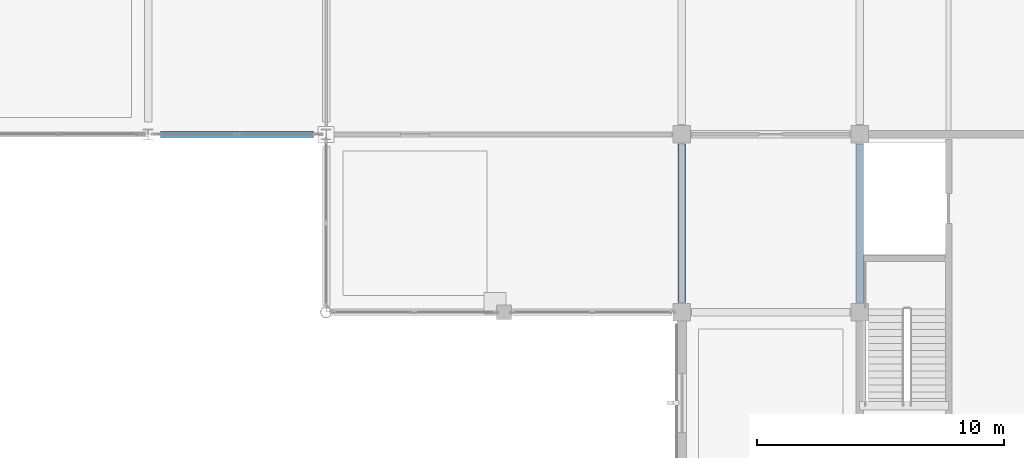
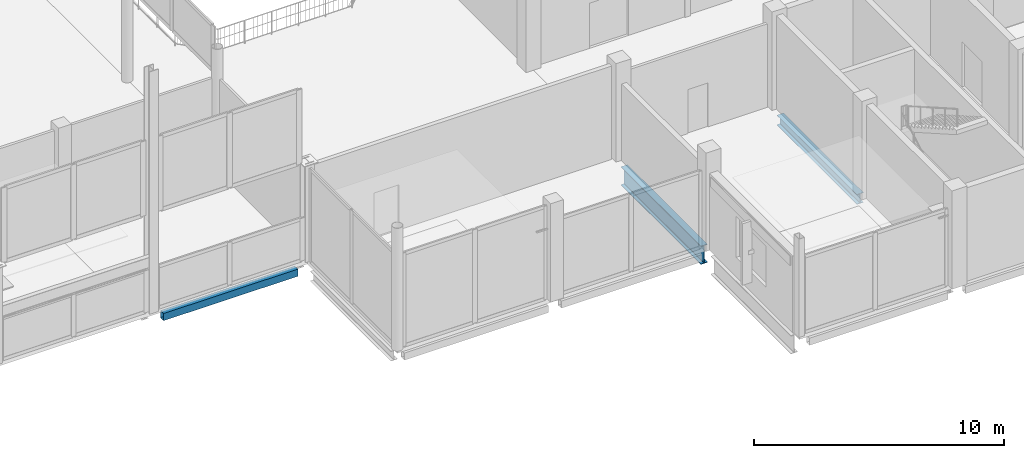
# One storey, part 32 of 120: 3 beams.
"""IFC4 building model written with IfcOpenShell, lengths in metres."""

from ifc_helpers import new_model, si_unit, direction, frame, origin, origin_2d, place, context, subcontext, project, spatial, hollow_rectangle, i_section, extrude, material, material_profile, profile_set, type_object, element, save


model = new_model("IFC4")

# Units and contexts
model_context = context("Model", 3, precision=1e-05, world=origin(), true_north=direction((0.0, 1.0)))
body_context = subcontext(model_context, "Body", "Model", "MODEL_VIEW")
ifc_project = project(units=[si_unit("LENGTHUNIT", "METRE"), si_unit("AREAUNIT", "SQUARE_METRE"), si_unit("VOLUMEUNIT", "CUBIC_METRE"), si_unit("PLANEANGLEUNIT", "RADIAN"), si_unit("MASSUNIT", "GRAM", prefix="KILO")], contexts=[model_context])

# Site, building, storey
site_placement = place(None, origin())
site = spatial("IfcSite", under=ifc_project, at=site_placement, CompositionType="ELEMENT")
building_placement = place(site_placement, origin())
building = spatial("IfcBuilding", under=site, at=building_placement, Name="Vesperath Aquatics Centre", CompositionType="ELEMENT")
storey_placement = place(building_placement, frame((0.0, 0.0, 10.199951171875)))
storey = spatial("IfcBuildingStorey", under=building, at=storey_placement, Name="L02", CompositionType="ELEMENT", Elevation=10.199951171875)

# Beams
ifc_material_1 = material(Name="Steel Q355D", Category="steel")
ifc_material_profile_1 = material_profile(ifc_material_1, i_section(OverallWidth=0.300048828125, OverallDepth=0.89990234375, WebThickness=0.01611328125, FlangeThickness=0.028076171875, FilletRadius=0.028076171875, at=origin_2d()), Name="HN 900x300x16x28")
ifc_profile_set_1 = profile_set([ifc_material_profile_1], Name="Steel Q355D")
beam_type_1 = type_object("IfcBeamType", Name="BM-G06", PredefinedType="BEAM", material=ifc_profile_set_1)
beam_1_placement = place(storey_placement, frame((115.199951171875, 7.60009765625, -0.7099609375), z_axis=(0.0, 1.0, 0.0), x_axis=(-1.0, 0.0, 0.0)))
element("IfcBeam", 1, at=beam_1_placement, inside=storey, type_object=beam_type_1, Name="Floor Girder B06 L02 17 B-C", PredefinedType="BEAM", context=body_context, shape_type="SweptSolid", body=[
    extrude(i_section(OverallWidth=0.300048828125, OverallDepth=0.89990234375, WebThickness=0.01611328125, FlangeThickness=0.028076171875, FilletRadius=0.028076171875, at=origin_2d()), origin(), (0.0, 0.0, 1.0), 6.39990234375),
])
ifc_material_2 = material(Name="Steel Q355C", Category="steel")
ifc_material_profile_2 = material_profile(ifc_material_2, i_section(OverallWidth=0.300048828125, OverallDepth=0.488037109375, WebThickness=0.010986328125, FlangeThickness=0.01806640625, FilletRadius=0.02587890625, at=origin_2d()), Name="HM 488x300x11x18")
ifc_profile_set_2 = profile_set([ifc_material_profile_2], Name="Steel Q355C")
beam_type_2 = type_object("IfcBeamType", Name="BM-G10", PredefinedType="BEAM", material=ifc_profile_set_2)
beam_2_placement = place(storey_placement, frame((122.39990234375, 7.60009765625, -0.50390625), z_axis=(0.0, 1.0, 0.0), x_axis=(-1.0, 0.0, 0.0)))
element("IfcBeam", 2, at=beam_2_placement, inside=storey, type_object=beam_type_2, Name="Floor Girder B10 L02 18 B-C", PredefinedType="BEAM", context=body_context, shape_type="SweptSolid", body=[
    extrude(i_section(OverallWidth=0.300048828125, OverallDepth=0.488037109375, WebThickness=0.010986328125, FlangeThickness=0.01806640625, FilletRadius=0.02587890625, at=origin_2d()), origin(), (0.0, 0.0, 1.0), 6.39990234375),
])
ifc_material_profile_3 = material_profile(ifc_material_1, hollow_rectangle(XDim=0.25, YDim=0.35009765625, WallThickness=0.011962890625, at=origin_2d()), Name="RHS 350x250x12")
ifc_profile_set_3 = profile_set([ifc_material_profile_3], Name="Steel Q355D")
beam_type_3 = type_object("IfcBeamType", Name="BM-SP02", PredefinedType="SPANDREL", material=ifc_profile_set_3)
beam_3_placement = place(storey_placement, frame((94.10009765625, 14.39990234375, -0.43505859375), z_axis=(1.0, 0.0, 0.0), x_axis=(0.0, 1.0, 0.0)))
element("IfcBeam", 3, at=beam_3_placement, inside=storey, type_object=beam_type_3, Name="Floor Girder SP02 L02 C 14-15", PredefinedType="SPANDREL", context=body_context, shape_type="SweptSolid", body=[
    extrude(hollow_rectangle(XDim=0.25, YDim=0.35009765625, WallThickness=0.011962890625, at=origin_2d()), origin(), (0.0, 0.0, 1.0), 6.199951171875),
])

save(model, "model.ifc")
